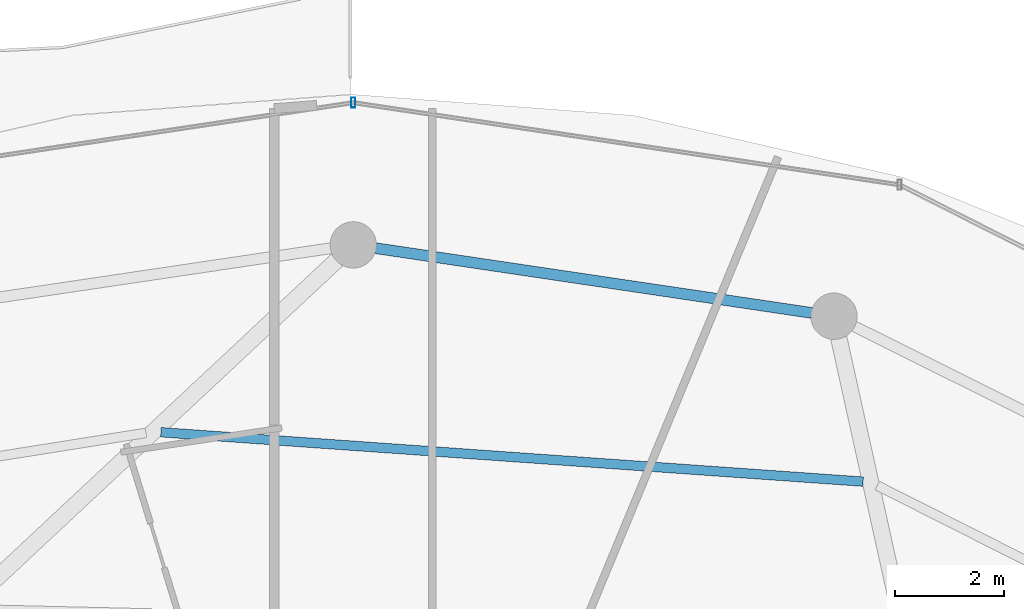
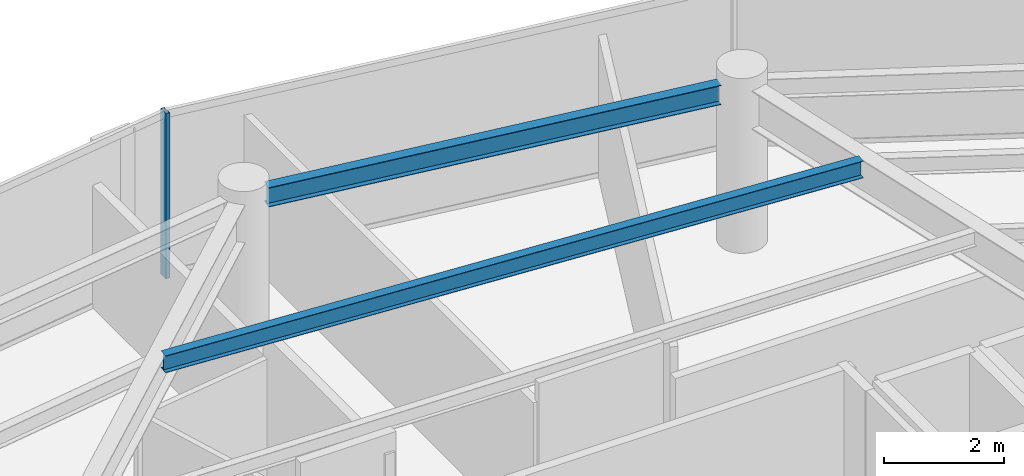
# One storey, part 18 of 30: 2 beams, 1 member, 1 element without a shape of its own.
"""IFC4 building model written with IfcOpenShell, lengths in metres."""

from ifc_helpers import new_model, si_unit, direction, frame, origin, origin_2d, place, context, subcontext, project, spatial, hollow_rectangle, i_section, extrude, material, material_profile, profile_set, type_object, element, aggregate, save


model = new_model("IFC4")

# Units and contexts
model_context = context("Model", 3, precision=1e-05, world=origin(), true_north=direction((0.0, 1.0)))
body_context = subcontext(model_context, "Body", "Model", "MODEL_VIEW")
ifc_project = project(units=[si_unit("LENGTHUNIT", "METRE"), si_unit("AREAUNIT", "SQUARE_METRE"), si_unit("VOLUMEUNIT", "CUBIC_METRE"), si_unit("PLANEANGLEUNIT", "RADIAN"), si_unit("MASSUNIT", "GRAM", prefix="KILO")], contexts=[model_context])

# Site, building, storey
site_placement = place(None, origin())
site = spatial("IfcSite", under=ifc_project, at=site_placement, CompositionType="ELEMENT")
building_placement = place(site_placement, origin())
building = spatial("IfcBuilding", under=site, at=building_placement, Name="Vorneva Point Tower", CompositionType="ELEMENT")
storey_placement = place(building_placement, frame((0.0, 0.0, 237.800048828125)))
storey = spatial("IfcBuildingStorey", under=building, at=storey_placement, Name="L64", CompositionType="ELEMENT", Elevation=237.800048828125)

# Beams
ifc_material_1 = material(Name="Steel S355", Category="steel")
ifc_material_profile_1 = material_profile(ifc_material_1, i_section(OverallWidth=0.174072265625, OverallDepth=0.345947265625, WebThickness=0.006103515625, FlangeThickness=0.009033203125, at=origin_2d()), Name="35B1")
ifc_profile_set_1 = profile_set([ifc_material_profile_1], Name="Steel S355")
beam_type_1 = type_object("IfcBeamType", Name="BM-SEC-35B1", PredefinedType="BEAM", material=ifc_profile_set_1)
beam_1_placement = place(storey_placement, frame((47.355224609375, 38.855224609375, 3.116943359375), z_axis=(-0.997535819592, 0.07015902388, 0.0), x_axis=(-0.07015902388, -0.997535819592, 0.0)))
element("IfcBeam", 1, at=beam_1_placement, inside=storey, type_object=beam_type_1, Name="L64 Secondary Floor Beam 1.04", PredefinedType="BEAM", context=body_context, shape_type="SweptSolid", body=[
    extrude(i_section(OverallWidth=0.174072265625, OverallDepth=0.345947265625, WebThickness=0.006103515625, FlangeThickness=0.009033203125, at=origin_2d()), origin(), (0.0, 0.0, 1.0), 12.9169921875),
])
ifc_material_profile_2 = material_profile(ifc_material_1, i_section(OverallWidth=0.198974609375, OverallDepth=0.39599609375, WebThickness=0.007080078125, FlangeThickness=0.010986328125, at=origin_2d()), Name="40B1")
ifc_profile_set_2 = profile_set([ifc_material_profile_2], Name="Steel S355")
beam_type_2 = type_object("IfcBeamType", Name="BM-SPN-40B1", PredefinedType="SPANDREL", material=ifc_profile_set_2)
beam_2_placement = place(storey_placement, frame((46.415283203125, 41.950927734375, 3.092041015625), z_axis=(-0.989161657331, 0.146830567886, 0.0), x_axis=(-0.146830567886, -0.989161657331, 0.0)))
element("IfcBeam", 2, at=beam_2_placement, inside=storey, type_object=beam_type_2, Name="L64 Perimeter Spandrel Ring Beam 04", PredefinedType="SPANDREL", context=body_context, shape_type="SweptSolid", body=[
    extrude(i_section(OverallWidth=0.198974609375, OverallDepth=0.39599609375, WebThickness=0.007080078125, FlangeThickness=0.010986328125, at=origin_2d()), origin(), (0.0, 0.0, 1.0), 8.097412109375),
])

# Curtain wall, member
ifc_material_2 = material(Name="Pale anodised aluminium", Category="aluminium")
curtain_wall_type = type_object("IfcCurtainWallType", Name="CW-RES-SYS", PredefinedType="NOTDEFINED", material=ifc_material_2)
curtain_wall_placement = place(storey_placement, origin())
curtain_wall = element("IfcCurtainWall", 3, at=curtain_wall_placement, inside=storey, type_object=curtain_wall_type, Name="L64 Unitised Curtain Wall CW-L64-R02", PredefinedType="NOTDEFINED")
ifc_material_profile_3 = material_profile(ifc_material_2, hollow_rectangle(XDim=0.074951171875, YDim=0.179931640625, WallThickness=0.00390625, at=origin_2d()), Name="AL-MUL 180x75x4")
ifc_profile_set_3 = profile_set([ifc_material_profile_3], Name="Pale anodised aluminium")
member_type = type_object("IfcMemberType", Name="CW-MUL-180", PredefinedType="MULLION", material=ifc_profile_set_3)
member_placement = place(storey_placement, frame((38.0, 45.81005859375, -0.0400390625), z_axis=(0.0, 0.0, 1.0), x_axis=(1.0, 0.0, 0.0)))
member = element("IfcMember", 4, at=member_placement, type_object=member_type, Name="CW-L64-R02 Mullion 03", PredefinedType="MULLION", context=body_context, shape_type="SweptSolid", body=[
    extrude(hollow_rectangle(XDim=0.074951171875, YDim=0.179931640625, WallThickness=0.00390625, at=origin_2d()), origin(), (0.0, 0.0, 1.0), 3.360107421875),
])
aggregate(curtain_wall, [member])

save(model, "model.ifc")
